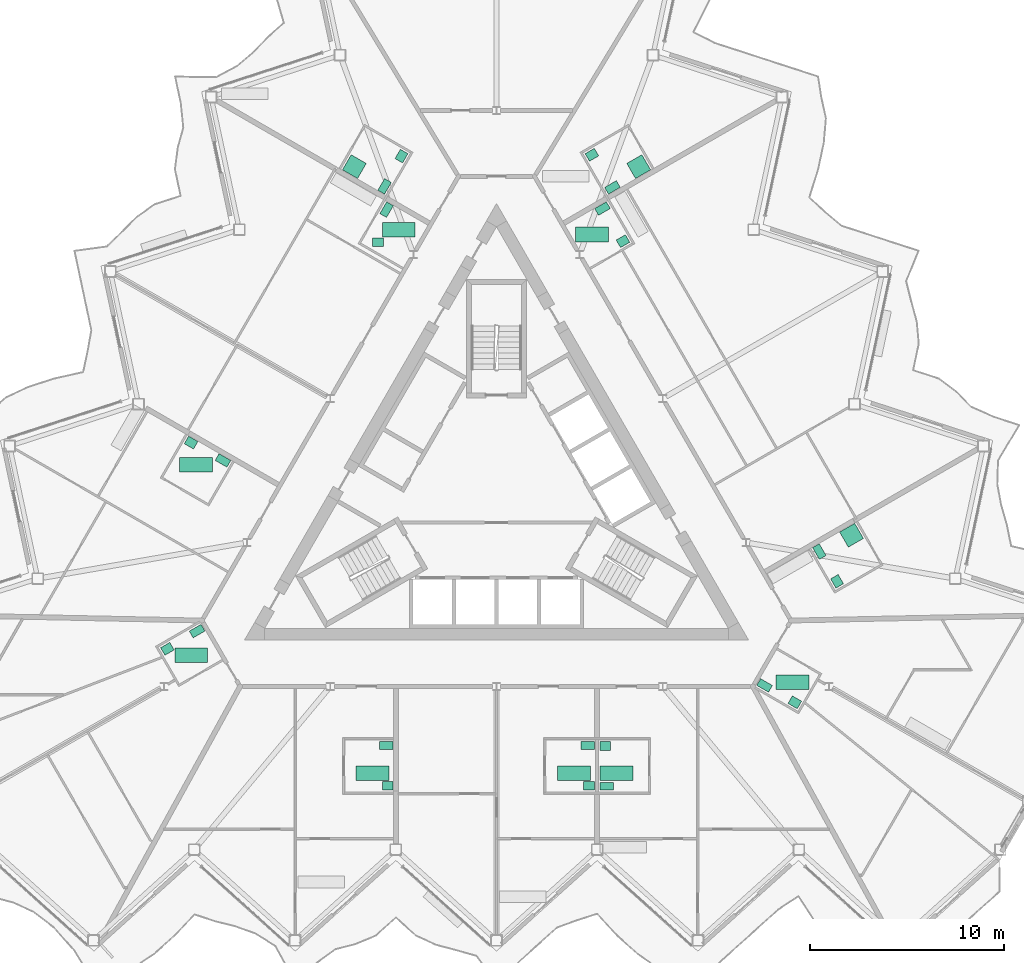
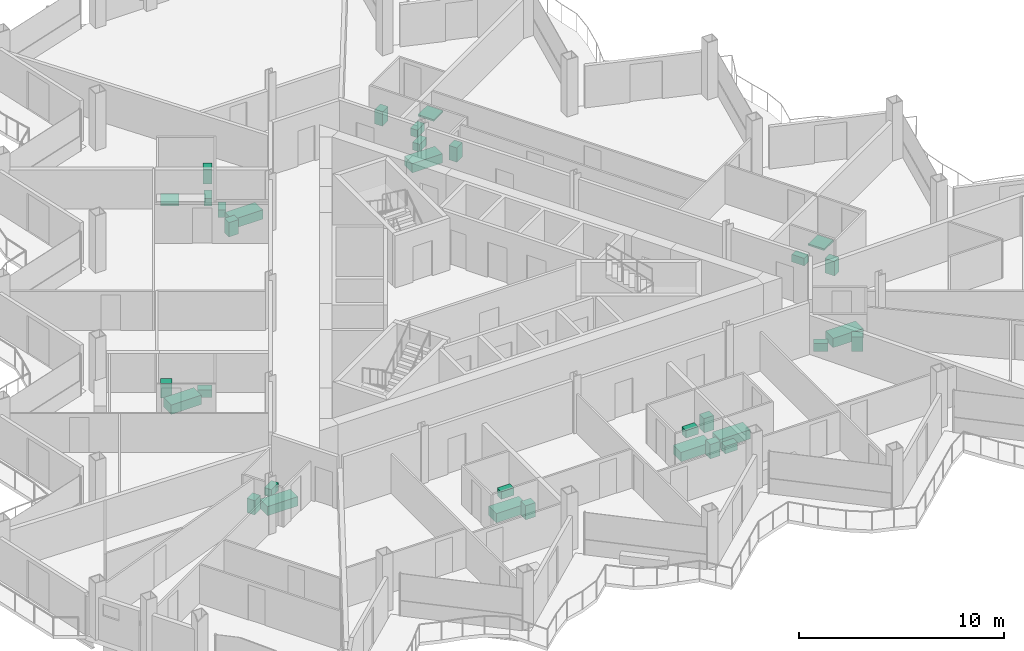
# One storey, part 26 of 27: 33 sanitary terminals.
"""IFC4 building model written with IfcOpenShell, lengths in metres."""

from ifc_helpers import new_model, si_unit, direction, frame, origin, origin_2d, place, context, subcontext, project, spatial, rectangle, extrude, material, type_object, element, save


model = new_model("IFC4")

# Units and contexts
model_context = context("Model", 3, precision=1e-05, world=origin(), true_north=direction((0.0, 1.0)))
body_context = subcontext(model_context, "Body", "Model", "MODEL_VIEW")
ifc_project = project(units=[si_unit("LENGTHUNIT", "METRE"), si_unit("AREAUNIT", "SQUARE_METRE"), si_unit("VOLUMEUNIT", "CUBIC_METRE"), si_unit("PLANEANGLEUNIT", "RADIAN"), si_unit("MASSUNIT", "GRAM", prefix="KILO")], contexts=[model_context])

# Site, building, storey
site_placement = place(None, origin())
site = spatial("IfcSite", under=ifc_project, at=site_placement, CompositionType="ELEMENT")
building_placement = place(site_placement, origin())
building = spatial("IfcBuilding", under=site, at=building_placement, Name="Cormorant Prow Tower", CompositionType="ELEMENT")
storey_placement = place(building_placement, frame((0.0, 0.0, 315.39990234375)))
storey = spatial("IfcBuildingStorey", under=building, at=storey_placement, Name="L69", CompositionType="ELEMENT", Elevation=315.39990234375)

# Sanitary terminals
ifc_material_1 = material(Name="Vitreous china")
sanitary_terminal_type_1 = type_object("IfcSanitaryTerminalType", Name="Bath 1700x750", PredefinedType="BATH", material=ifc_material_1)
for number, where, z_axis, x_axis, name in (
    (1, (-6.397705078125, -14.385498046875, 0.0), (0.0, 0.0, 1.0), (1.0, 0.0, 0.0), "Bath"),
    (2, (3.98779296875, -14.385498046875, 0.0), (0.0, 0.0, 1.0), (1.0, 0.0, 0.0), "Bath"),
    (3, (6.187744140625, -14.385498046875, 0.0), (0.0, 0.0, 1.0), (1.0, 0.0, 0.0), "Bath"),
    (4, (15.260498046875, -9.70068359375, 0.0), (0.0, 0.0, 1.0), (1.0, 0.0, 0.0), "Bath"),
    (5, (4.915283203125, 13.41357421875, 0.0), (0.0, 0.0, 1.0), (1.0, 0.0, 0.0), "Bath"),
    (6, (-5.044189453125, 13.66357421875, 0.0), (0.0, 0.0, 1.0), (1.0, 0.0, 0.0), "Bath"),
    (7, (-15.50830078125, 1.522216796875, 0.0), (0.0, 0.0, 1.0), (1.0, 0.0, 0.0), "Bath"),
    (8, (-15.75244140625, -8.29248046875, 0.0), (0.0, 0.0, 1.0), (1.0, 0.0, 0.0), "Bath"),
):
    element("IfcSanitaryTerminal", number, at=place(storey_placement, frame(where, z_axis=z_axis, x_axis=x_axis)), inside=storey, type_object=sanitary_terminal_type_1, Name=name, PredefinedType="BATH", context=body_context, shape_type="SweptSolid", body=[
        extrude(rectangle(XDim=1.699951171875, YDim=0.75, at=origin_2d()), origin(), (0.0, 0.0, 1.0), 0.550048828125),
    ])
ifc_material_2 = material(Name="Vitreous china")
sanitary_terminal_type_2 = type_object("IfcSanitaryTerminalType", Name="Shower tray 900x900", PredefinedType="SHOWER", material=ifc_material_2)
for number, where, z_axis, x_axis, name in (
    (9, (18.316650390625, -2.104248046875, 0.0), (0.0, 0.0, 1.0), (0.5, -0.866025403784, 0.0), "Shower tray"),
    (10, (7.3359375, 16.914794921875, 0.0), (0.0, 0.0, 1.0), (-0.866025403784, -0.5, 0.0), "Shower tray"),
    (11, (-7.3359375, 16.914794921875, 0.0), (0.0, 0.0, 1.0), (0.5, 0.866025403784, 0.0), "Shower tray"),
):
    element("IfcSanitaryTerminal", number, at=place(storey_placement, frame(where, z_axis=z_axis, x_axis=x_axis)), inside=storey, type_object=sanitary_terminal_type_2, Name=name, PredefinedType="SHOWER", context=body_context, shape_type="SweptSolid", body=[
        extrude(rectangle(XDim=0.89990234375, YDim=0.89990234375, at=origin_2d()), origin(), (0.0, 0.0, 1.0), 0.10009765625),
    ])
ifc_material_3 = material(Name="Vitreous china")
sanitary_terminal_type_3 = type_object("IfcSanitaryTerminalType", Name="Wash basin 550x450", PredefinedType="WASHHANDBASIN", material=ifc_material_3)
for number, where, z_axis, x_axis, name in (
    (12, (-5.61279296875, -15.03564453125, 0.0), (0.0, 0.0, 1.0), (-1.0, 0.0, 0.0), "Wash basin"),
    (13, (4.772705078125, -15.03564453125, 0.0), (0.0, 0.0, 1.0), (-1.0, 0.0, 0.0), "Wash basin"),
    (14, (5.61279296875, -12.9755859375, 0.0), (0.0, 0.0, 1.0), (1.0, 0.0, 0.0), "Wash basin"),
    (15, (15.390380859375, -10.72509765625, 0.0), (0.0, 0.0, 1.0), (-0.866025403784, 0.5, 0.0), "Wash basin"),
    (16, (17.570068359375, -4.48095703125, 0.0), (0.0, 0.0, 1.0), (-0.5, 0.866025403784, 0.0), "Wash basin"),
    (17, (6.525146484375, 13.069091796875, 0.0), (0.0, 0.0, 1.0), (-0.866025403784, -0.5, 0.0), "Wash basin"),
    (18, (4.922607421875, 17.52490234375, 0.0), (0.0, 0.0, 1.0), (0.866025403784, 0.5, 0.0), "Wash basin"),
    (19, (-4.904296875, 17.45654296875, 0.0), (0.0, 0.0, 1.0), (-0.5, -0.866025403784, 0.0), "Wash basin"),
    (20, (-6.119140625, 13.013427734375, 0.0), (0.0, 0.0, 1.0), (1.0, 0.0, 0.0), "Wash basin"),
    (21, (-15.75927734375, 2.67529296875, 0.0), (0.0, 0.0, 1.0), (0.866025403784, -0.5, 0.0), "Wash basin"),
    (22, (-16.9833984375, -7.966064453125, 0.0), (0.0, 0.0, 1.0), (0.866025403784, 0.5, 0.0), "Wash basin"),
):
    element("IfcSanitaryTerminal", number, at=place(storey_placement, frame(where, z_axis=z_axis, x_axis=x_axis)), inside=storey, type_object=sanitary_terminal_type_3, Name=name, PredefinedType="WASHHANDBASIN", context=body_context, shape_type="SweptSolid", body=[
        extrude(rectangle(XDim=0.550048828125, YDim=0.449951171875, at=origin_2d()), origin(), (0.0, 0.0, 1.0), 0.85009765625),
    ])
ifc_material_4 = material(Name="Vitreous china")
sanitary_terminal_type_4 = type_object("IfcSanitaryTerminalType", Name="Water closet 400x700", PredefinedType="WCSEAT", material=ifc_material_4)
for number, where, z_axis, x_axis, name in (
    (23, (-5.687744140625, -12.95068359375, 0.0), (0.0, 0.0, 1.0), (0.0, -1.0, 0.0), "Water closet"),
    (24, (4.69775390625, -12.95068359375, 0.0), (0.0, 0.0, 1.0), (0.0, -1.0, 0.0), "Water closet"),
    (25, (5.687744140625, -15.060546875, 0.0), (0.0, 0.0, 1.0), (0.0, 1.0, 0.0), "Water closet"),
    (26, (13.83203125, -9.854248046875, 0.0), (0.0, 0.0, 1.0), (0.5, 0.866025403784, 0.0), "Water closet"),
    (27, (16.65576171875, -2.947509765625, 0.0), (0.0, 0.0, 1.0), (0.866025403784, 0.5, 0.0), "Water closet"),
    (28, (5.4677734375, 14.750732421875, 0.0), (0.0, 0.0, 1.0), (0.5, -0.866025403784, 0.0), "Water closet"),
    (29, (5.97998046875, 15.84326171875, 0.0), (0.0, 0.0, 1.0), (-0.5, 0.866025403784, 0.0), "Water closet"),
    (30, (-5.775146484375, 15.898193359375, 0.0), (0.0, 0.0, 1.0), (-0.866025403784, 0.5, 0.0), "Water closet"),
    (31, (-5.672607421875, 14.69580078125, 0.0), (0.0, 0.0, 1.0), (0.866025403784, -0.5, 0.0), "Water closet"),
    (32, (-14.1142578125, 1.75439453125, 0.0), (0.0, 0.0, 1.0), (-0.5, -0.866025403784, 0.0), "Water closet"),
    (33, (-15.4501953125, -7.0517578125, 0.0), (0.0, 0.0, 1.0), (0.5, -0.866025403784, 0.0), "Water closet"),
):
    element("IfcSanitaryTerminal", number, at=place(storey_placement, frame(where, z_axis=z_axis, x_axis=x_axis)), inside=storey, type_object=sanitary_terminal_type_4, Name=name, PredefinedType="WCSEAT", context=body_context, shape_type="SweptSolid", body=[
        extrude(rectangle(XDim=0.39990234375, YDim=0.699951171875, at=origin_2d()), origin(), (0.0, 0.0, 1.0), 0.449951171875),
    ])

save(model, "model.ifc")
